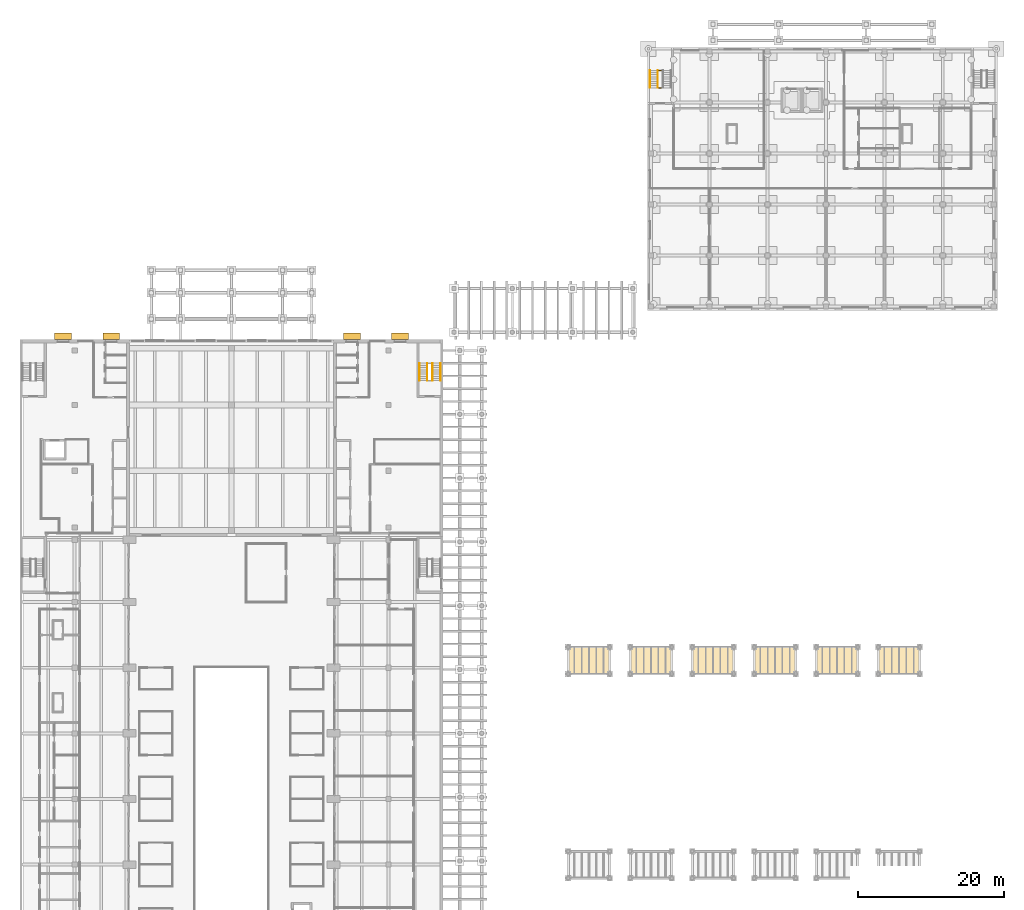
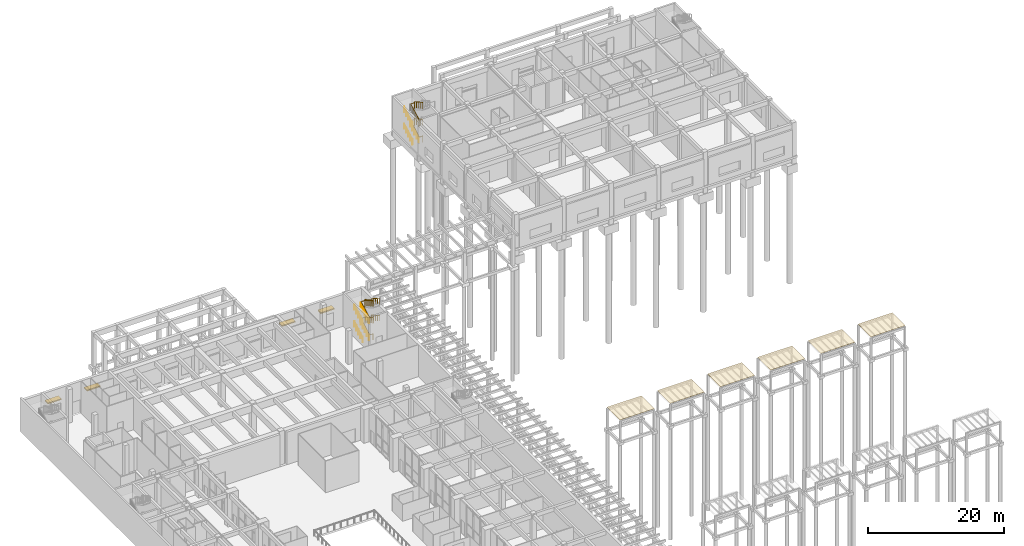
# One storey, part 49 of 51: 13 railings, 6 coverings, 4 shading devices.
"""IFC4 building model written with IfcOpenShell, lengths in metres."""

from ifc_helpers import new_model, si_unit, direction, frame, origin, origin_2d, place, context, subcontext, project, spatial, polyline, rectangle, circle, outline, extrude, material, layer, layer_set, type_object, element, save


model = new_model("IFC4")

# Units and contexts
model_context = context("Model", 3, precision=1e-05, world=origin(), true_north=direction((0.0, 1.0)))
body_context = subcontext(model_context, "Body", "Model", "MODEL_VIEW")
ifc_project = project(units=[si_unit("LENGTHUNIT", "METRE"), si_unit("AREAUNIT", "SQUARE_METRE"), si_unit("VOLUMEUNIT", "CUBIC_METRE"), si_unit("PLANEANGLEUNIT", "RADIAN"), si_unit("MASSUNIT", "GRAM", prefix="KILO")], contexts=[model_context])

# Site, building, storey
site_placement = place(None, origin())
site = spatial("IfcSite", under=ifc_project, at=site_placement, CompositionType="ELEMENT")
building_placement = place(site_placement, origin())
building = spatial("IfcBuilding", under=site, at=building_placement, Name="Elmora Arch Market Hall", CompositionType="ELEMENT")
storey_placement = place(building_placement, origin())
storey = spatial("IfcBuildingStorey", under=building, at=storey_placement, Name="L00", CompositionType="ELEMENT", Elevation=0.0)

# Shading devices
ifc_material_1 = material(Name="Concrete C40/50", Category="concrete")
ifc_layer_1 = layer(ifc_material_1, 0.199951171875)
ifc_layer_set_1 = layer_set([ifc_layer_1], Name="Concrete C40/50")
shading_device_type = type_object("IfcShadingDeviceType", Name="Pavilion sunshade 900x200", PredefinedType="USERDEFINED", material=ifc_layer_set_1)
for number, where, z_axis, x_axis, name in (
    (1, (5.89990234375, 126.449951171875, 3.14990234375), (0.0, 0.0, 1.0), (1.0, 0.0, 0.0), "Pavilion sunshade 1"),
    (2, (12.5, 126.449951171875, 3.14990234375), (0.0, 0.0, 1.0), (1.0, 0.0, 0.0), "Pavilion sunshade 2"),
    (3, (52.10009765625, 126.449951171875, 3.14990234375), (0.0, 0.0, 1.0), (1.0, 0.0, 0.0), "Pavilion sunshade 3"),
    (4, (45.5, 126.449951171875, 3.14990234375), (0.0, 0.0, 1.0), (1.0, 0.0, 0.0), "Pavilion sunshade 4"),
):
    element("IfcShadingDevice", number, at=place(storey_placement, frame(where, z_axis=z_axis, x_axis=x_axis)), inside=storey, type_object=shading_device_type, Name=name, ObjectType="SUNSHADE", PredefinedType="USERDEFINED", context=body_context, shape_type="SweptSolid", body=[
        extrude(rectangle(XDim=2.300048828125, YDim=0.89990234375, at=origin_2d()), origin(), (0.0, 0.0, 1.0), 0.199951171875),
    ])

# Railings
ifc_material_2 = material(Name="Steel ASTM A500 Gr C", Category="steel")
railing_type_1 = type_object("IfcRailingType", Name="Stair guard 1100", PredefinedType="GUARDRAIL", material=ifc_material_2)
railing_1_placement = place(storey_placement, frame((56.52001953125, 120.35009765625, 0.0)))
element("IfcRailing", 5, at=railing_1_placement, inside=storey, type_object=railing_type_1, Name="Stair ST-E guard L00", PredefinedType="GUARDRAIL", context=body_context, shape_type="SweptSolid", body=[
    extrude(circle(Radius=0.02392578125, at=origin_2d()), frame((0.0, 0.0, 1.076171875), z_axis=(-1.0, 0.0, 0.0), x_axis=(0.0, -1.0, 0.0)), (0.0, 0.0, 1.0), 0.64013671875),
    extrude(circle(Radius=0.02392578125, at=origin_2d()), frame((-0.64013671875, 0.0, 1.076171875), z_axis=(0.0, 0.0, 1.0), x_axis=(1.0, 0.0, 0.0)), (0.0, 0.0, 1.0), 0.166748046875),
    extrude(circle(Radius=0.02392578125, at=origin_2d()), frame((-0.64013671875, 0.0, 1.24267578125), z_axis=(0.0, 0.874157276122, 0.485642931179), x_axis=(-1.0, 0.0, 0.0)), (0.0, 0.0, 1.0), 0.686279296875),
    extrude(circle(Radius=0.02392578125, at=origin_2d()), frame((-0.64013671875, 0.599853515625, 1.576171875), z_axis=(0.0, 0.874241147926, 0.485491931212), x_axis=(-1.0, 0.0, 0.0)), (0.0, 0.0, 1.0), 0.6865234375),
    extrude(circle(Radius=0.02392578125, at=origin_2d()), frame((-0.64013671875, 1.199951171875, 1.9091796875), z_axis=(0.0, 0.874006220275, 0.485914732151), x_axis=(-1.0, 0.0, 0.0)), (0.0, 0.0, 1.0), 0.686279296875),
    extrude(circle(Radius=0.02392578125, at=origin_2d()), frame((-0.64013671875, 1.7998046875, 2.24267578125), z_axis=(0.0, 0.874241147926, 0.485491931212), x_axis=(-1.0, 0.0, 0.0)), (0.0, 0.0, 1.0), 0.6865234375),
    extrude(circle(Radius=0.02392578125, at=origin_2d()), frame((-0.64013671875, 2.39990234375, 2.576171875), z_axis=(1.0, 0.0, 0.0), x_axis=(0.0, 1.0, 0.0)), (0.0, 0.0, 1.0), 0.64013671875),
    extrude(circle(Radius=0.02392578125, at=origin_2d()), frame((0.0, 2.39990234375, 2.576171875), z_axis=(0.0, 0.0, 1.0), x_axis=(1.0, 0.0, 0.0)), (0.0, 0.0, 1.0), 0.166748046875),
    extrude(circle(Radius=0.02392578125, at=origin_2d()), frame((0.0, 2.39990234375, 2.74267578125), z_axis=(0.0, -0.874241147926, 0.485491931212), x_axis=(1.0, 0.0, 0.0)), (0.0, 0.0, 1.0), 0.6865234375),
    extrude(circle(Radius=0.02392578125, at=origin_2d()), frame((0.0, 1.7998046875, 3.076171875), z_axis=(0.0, -0.874157276122, 0.485642931179), x_axis=(1.0, 0.0, 0.0)), (0.0, 0.0, 1.0), 0.686279296875),
    extrude(circle(Radius=0.02392578125, at=origin_2d()), frame((0.0, 1.199951171875, 3.4091796875), z_axis=(0.0, -0.874090171491, 0.485763699861), x_axis=(1.0, 0.0, 0.0)), (0.0, 0.0, 1.0), 0.6865234375),
    extrude(circle(Radius=0.02392578125, at=origin_2d()), frame((0.0, 0.599853515625, 3.74267578125), z_axis=(0.0, -0.874157276122, 0.485642931179), x_axis=(1.0, 0.0, 0.0)), (0.0, 0.0, 1.0), 0.686279296875),
    extrude(circle(Radius=0.02392578125, at=origin_2d()), frame((0.0, 0.0, 4.076171875), z_axis=(-1.0, 0.0, 0.0), x_axis=(0.0, -1.0, 0.0)), (0.0, 0.0, 1.0), 0.64013671875),
    extrude(circle(Radius=0.02392578125, at=origin_2d()), frame((-0.64013671875, 0.0, 4.076171875), z_axis=(0.0, 0.0, 1.0), x_axis=(1.0, 0.0, 0.0)), (0.0, 0.0, 1.0), 0.166748046875),
    extrude(circle(Radius=0.02392578125, at=origin_2d()), frame((-0.64013671875, 0.0, 4.24267578125), z_axis=(0.0, 0.874157276122, 0.485642931179), x_axis=(-1.0, 0.0, 0.0)), (0.0, 0.0, 1.0), 0.686279296875),
    extrude(circle(Radius=0.02392578125, at=origin_2d()), frame((-0.64013671875, 0.599853515625, 4.576171875), z_axis=(0.0, 0.874241147926, 0.485491931212), x_axis=(-1.0, 0.0, 0.0)), (0.0, 0.0, 1.0), 0.6865234375),
    extrude(circle(Radius=0.02392578125, at=origin_2d()), frame((-0.64013671875, 1.199951171875, 4.9091796875), z_axis=(0.0, 0.874006220275, 0.485914732151), x_axis=(-1.0, 0.0, 0.0)), (0.0, 0.0, 1.0), 0.686279296875),
    extrude(circle(Radius=0.02392578125, at=origin_2d()), frame((-0.64013671875, 1.7998046875, 5.24267578125), z_axis=(0.0, 0.874241147926, 0.485491931212), x_axis=(-1.0, 0.0, 0.0)), (0.0, 0.0, 1.0), 0.6865234375),
    extrude(circle(Radius=0.02392578125, at=origin_2d()), frame((-0.64013671875, 2.39990234375, 5.576171875), z_axis=(1.0, 0.0, 0.0), x_axis=(0.0, 1.0, 0.0)), (0.0, 0.0, 1.0), 0.64013671875),
    extrude(circle(Radius=0.02392578125, at=origin_2d()), frame((0.0, 2.39990234375, 5.576171875), z_axis=(0.0, 0.0, 1.0), x_axis=(1.0, 0.0, 0.0)), (0.0, 0.0, 1.0), 0.166748046875),
    extrude(circle(Radius=0.02392578125, at=origin_2d()), frame((0.0, 2.39990234375, 5.74267578125), z_axis=(0.0, -0.874241147926, 0.485491931212), x_axis=(1.0, 0.0, 0.0)), (0.0, 0.0, 1.0), 0.6865234375),
    extrude(circle(Radius=0.02392578125, at=origin_2d()), frame((0.0, 1.7998046875, 6.076171875), z_axis=(0.0, -0.874157276122, 0.485642931179), x_axis=(1.0, 0.0, 0.0)), (0.0, 0.0, 1.0), 0.686279296875),
    extrude(circle(Radius=0.02392578125, at=origin_2d()), frame((0.0, 1.199951171875, 6.4091796875), z_axis=(0.0, -0.874090171491, 0.485763699861), x_axis=(1.0, 0.0, 0.0)), (0.0, 0.0, 1.0), 0.6865234375),
    extrude(circle(Radius=0.02392578125, at=origin_2d()), frame((0.0, 0.599853515625, 6.74267578125), z_axis=(0.0, -0.874157276122, 0.485642931179), x_axis=(1.0, 0.0, 0.0)), (0.0, 0.0, 1.0), 0.686279296875),
    extrude(circle(Radius=0.02099609375, at=origin_2d()), origin(), (0.0, 0.0, 1.0), 1.052001953125),
    extrude(circle(Radius=0.02099609375, at=origin_2d()), frame((-0.64013671875, 0.0, 0.0)), (0.0, 0.0, 1.0), 1.052001953125),
    extrude(circle(Radius=0.02099609375, at=origin_2d()), frame((-0.64013671875, 0.0, 0.166748046875)), (0.0, 0.0, 1.0), 1.052001953125),
    extrude(circle(Radius=0.02099609375, at=origin_2d()), frame((-0.64013671875, 0.599853515625, 0.5)), (0.0, 0.0, 1.0), 1.052001953125),
    extrude(circle(Radius=0.02099609375, at=origin_2d()), frame((-0.64013671875, 1.199951171875, 0.833251953125)), (0.0, 0.0, 1.0), 1.052001953125),
    extrude(circle(Radius=0.02099609375, at=origin_2d()), frame((-0.64013671875, 1.7998046875, 1.166748046875)), (0.0, 0.0, 1.0), 1.052001953125),
    extrude(circle(Radius=0.02099609375, at=origin_2d()), frame((-0.64013671875, 2.39990234375, 1.5)), (0.0, 0.0, 1.0), 1.052001953125),
    extrude(circle(Radius=0.02099609375, at=origin_2d()), frame((0.0, 2.39990234375, 1.5)), (0.0, 0.0, 1.0), 1.052001953125),
    extrude(circle(Radius=0.02099609375, at=origin_2d()), frame((0.0, 2.39990234375, 1.666748046875)), (0.0, 0.0, 1.0), 1.052001953125),
    extrude(circle(Radius=0.02099609375, at=origin_2d()), frame((0.0, 1.7998046875, 2.0)), (0.0, 0.0, 1.0), 1.052001953125),
    extrude(circle(Radius=0.02099609375, at=origin_2d()), frame((0.0, 1.199951171875, 2.333251953125)), (0.0, 0.0, 1.0), 1.052001953125),
    extrude(circle(Radius=0.02099609375, at=origin_2d()), frame((0.0, 0.599853515625, 2.666748046875)), (0.0, 0.0, 1.0), 1.052001953125),
    extrude(circle(Radius=0.02099609375, at=origin_2d()), frame((0.0, 0.0, 3.0)), (0.0, 0.0, 1.0), 1.052001953125),
    extrude(circle(Radius=0.02099609375, at=origin_2d()), frame((-0.64013671875, 0.0, 3.0)), (0.0, 0.0, 1.0), 1.052001953125),
    extrude(circle(Radius=0.02099609375, at=origin_2d()), frame((-0.64013671875, 0.0, 3.166748046875)), (0.0, 0.0, 1.0), 1.052001953125),
    extrude(circle(Radius=0.02099609375, at=origin_2d()), frame((-0.64013671875, 0.599853515625, 3.5)), (0.0, 0.0, 1.0), 1.052001953125),
    extrude(circle(Radius=0.02099609375, at=origin_2d()), frame((-0.64013671875, 1.199951171875, 3.833251953125)), (0.0, 0.0, 1.0), 1.052001953125),
    extrude(circle(Radius=0.02099609375, at=origin_2d()), frame((-0.64013671875, 1.7998046875, 4.166748046875)), (0.0, 0.0, 1.0), 1.052001953125),
    extrude(circle(Radius=0.02099609375, at=origin_2d()), frame((-0.64013671875, 2.39990234375, 4.5)), (0.0, 0.0, 1.0), 1.052001953125),
    extrude(circle(Radius=0.02099609375, at=origin_2d()), frame((0.0, 2.39990234375, 4.5)), (0.0, 0.0, 1.0), 1.052001953125),
    extrude(circle(Radius=0.02099609375, at=origin_2d()), frame((0.0, 2.39990234375, 4.666748046875)), (0.0, 0.0, 1.0), 1.052001953125),
    extrude(circle(Radius=0.02099609375, at=origin_2d()), frame((0.0, 1.7998046875, 5.0)), (0.0, 0.0, 1.0), 1.052001953125),
    extrude(circle(Radius=0.02099609375, at=origin_2d()), frame((0.0, 1.199951171875, 5.333251953125)), (0.0, 0.0, 1.0), 1.052001953125),
    extrude(circle(Radius=0.02099609375, at=origin_2d()), frame((0.0, 0.599853515625, 5.666748046875)), (0.0, 0.0, 1.0), 1.052001953125),
    extrude(circle(Radius=0.02099609375, at=origin_2d()), frame((0.0, 0.0, 6.0)), (0.0, 0.0, 1.0), 1.052001953125),
])
railing_2_placement = place(storey_placement, frame((88.1201171875, 160.5, 0.0)))
element("IfcRailing", 6, at=railing_2_placement, inside=storey, type_object=railing_type_1, Name="Stair ST-SCW guard L00", PredefinedType="GUARDRAIL", context=body_context, shape_type="SweptSolid", body=[
    extrude(circle(Radius=0.02392578125, at=origin_2d()), frame((0.0, 0.0, 1.076171875), z_axis=(-1.0, 0.0, 0.0), x_axis=(0.0, -1.0, 0.0)), (0.0, 0.0, 1.0), 0.64013671875),
    extrude(circle(Radius=0.02392578125, at=origin_2d()), frame((-0.64013671875, 0.0, 1.076171875), z_axis=(0.0, 0.0, 1.0), x_axis=(1.0, 0.0, 0.0)), (0.0, 0.0, 1.0), 0.166748046875),
    extrude(circle(Radius=0.02392578125, at=origin_2d()), frame((-0.64013671875, 0.0, 1.24267578125), z_axis=(0.0, 0.874241147926, 0.485491931212), x_axis=(-1.0, 0.0, 0.0)), (0.0, 0.0, 1.0), 0.6865234375),
    extrude(circle(Radius=0.02392578125, at=origin_2d()), frame((-0.64013671875, 0.60009765625, 1.576171875), z_axis=(0.0, 0.874157276122, 0.485642931179), x_axis=(-1.0, 0.0, 0.0)), (0.0, 0.0, 1.0), 0.686279296875),
    extrude(circle(Radius=0.02392578125, at=origin_2d()), frame((-0.64013671875, 1.199951171875, 1.9091796875), z_axis=(0.0, 0.874090171491, 0.485763699861), x_axis=(-1.0, 0.0, 0.0)), (0.0, 0.0, 1.0), 0.6865234375),
    extrude(circle(Radius=0.02392578125, at=origin_2d()), frame((-0.64013671875, 1.800048828125, 2.24267578125), z_axis=(0.0, 0.874157276122, 0.485642931179), x_axis=(-1.0, 0.0, 0.0)), (0.0, 0.0, 1.0), 0.686279296875),
    extrude(circle(Radius=0.02392578125, at=origin_2d()), frame((-0.64013671875, 2.39990234375, 2.576171875), z_axis=(1.0, 0.0, 0.0), x_axis=(0.0, 1.0, 0.0)), (0.0, 0.0, 1.0), 0.64013671875),
    extrude(circle(Radius=0.02392578125, at=origin_2d()), frame((0.0, 2.39990234375, 2.576171875), z_axis=(0.0, 0.0, 1.0), x_axis=(1.0, 0.0, 0.0)), (0.0, 0.0, 1.0), 0.166748046875),
    extrude(circle(Radius=0.02392578125, at=origin_2d()), frame((0.0, 2.39990234375, 2.74267578125), z_axis=(0.0, -0.874157276122, 0.485642931179), x_axis=(1.0, 0.0, 0.0)), (0.0, 0.0, 1.0), 0.686279296875),
    extrude(circle(Radius=0.02392578125, at=origin_2d()), frame((0.0, 1.800048828125, 3.076171875), z_axis=(0.0, -0.874241147926, 0.485491931212), x_axis=(1.0, 0.0, 0.0)), (0.0, 0.0, 1.0), 0.6865234375),
    extrude(circle(Radius=0.02392578125, at=origin_2d()), frame((0.0, 1.199951171875, 3.4091796875), z_axis=(0.0, -0.874006220275, 0.485914732151), x_axis=(1.0, 0.0, 0.0)), (0.0, 0.0, 1.0), 0.686279296875),
    extrude(circle(Radius=0.02392578125, at=origin_2d()), frame((0.0, 0.60009765625, 3.74267578125), z_axis=(0.0, -0.874241147926, 0.485491931212), x_axis=(1.0, 0.0, 0.0)), (0.0, 0.0, 1.0), 0.6865234375),
    extrude(circle(Radius=0.02392578125, at=origin_2d()), frame((0.0, 0.0, 4.076171875), z_axis=(-1.0, 0.0, 0.0), x_axis=(0.0, -1.0, 0.0)), (0.0, 0.0, 1.0), 0.64013671875),
    extrude(circle(Radius=0.02392578125, at=origin_2d()), frame((-0.64013671875, 0.0, 4.076171875), z_axis=(0.0, 0.0, 1.0), x_axis=(1.0, 0.0, 0.0)), (0.0, 0.0, 1.0), 0.166748046875),
    extrude(circle(Radius=0.02392578125, at=origin_2d()), frame((-0.64013671875, 0.0, 4.24267578125), z_axis=(0.0, 0.874241147926, 0.485491931212), x_axis=(-1.0, 0.0, 0.0)), (0.0, 0.0, 1.0), 0.6865234375),
    extrude(circle(Radius=0.02392578125, at=origin_2d()), frame((-0.64013671875, 0.60009765625, 4.576171875), z_axis=(0.0, 0.874157276122, 0.485642931179), x_axis=(-1.0, 0.0, 0.0)), (0.0, 0.0, 1.0), 0.686279296875),
    extrude(circle(Radius=0.02392578125, at=origin_2d()), frame((-0.64013671875, 1.199951171875, 4.9091796875), z_axis=(0.0, 0.874090171491, 0.485763699861), x_axis=(-1.0, 0.0, 0.0)), (0.0, 0.0, 1.0), 0.6865234375),
    extrude(circle(Radius=0.02392578125, at=origin_2d()), frame((-0.64013671875, 1.800048828125, 5.24267578125), z_axis=(0.0, 0.874157276122, 0.485642931179), x_axis=(-1.0, 0.0, 0.0)), (0.0, 0.0, 1.0), 0.686279296875),
    extrude(circle(Radius=0.02392578125, at=origin_2d()), frame((-0.64013671875, 2.39990234375, 5.576171875), z_axis=(1.0, 0.0, 0.0), x_axis=(0.0, 1.0, 0.0)), (0.0, 0.0, 1.0), 0.64013671875),
    extrude(circle(Radius=0.02392578125, at=origin_2d()), frame((0.0, 2.39990234375, 5.576171875), z_axis=(0.0, 0.0, 1.0), x_axis=(1.0, 0.0, 0.0)), (0.0, 0.0, 1.0), 0.166748046875),
    extrude(circle(Radius=0.02392578125, at=origin_2d()), frame((0.0, 2.39990234375, 5.74267578125), z_axis=(0.0, -0.874157276122, 0.485642931179), x_axis=(1.0, 0.0, 0.0)), (0.0, 0.0, 1.0), 0.686279296875),
    extrude(circle(Radius=0.02392578125, at=origin_2d()), frame((0.0, 1.800048828125, 6.076171875), z_axis=(0.0, -0.874241147926, 0.485491931212), x_axis=(1.0, 0.0, 0.0)), (0.0, 0.0, 1.0), 0.6865234375),
    extrude(circle(Radius=0.02392578125, at=origin_2d()), frame((0.0, 1.199951171875, 6.4091796875), z_axis=(0.0, -0.874006220275, 0.485914732151), x_axis=(1.0, 0.0, 0.0)), (0.0, 0.0, 1.0), 0.686279296875),
    extrude(circle(Radius=0.02392578125, at=origin_2d()), frame((0.0, 0.60009765625, 6.74267578125), z_axis=(0.0, -0.874241147926, 0.485491931212), x_axis=(1.0, 0.0, 0.0)), (0.0, 0.0, 1.0), 0.6865234375),
    extrude(circle(Radius=0.02099609375, at=origin_2d()), origin(), (0.0, 0.0, 1.0), 1.052001953125),
    extrude(circle(Radius=0.02099609375, at=origin_2d()), frame((-0.64013671875, 0.0, 0.0)), (0.0, 0.0, 1.0), 1.052001953125),
    extrude(circle(Radius=0.02099609375, at=origin_2d()), frame((-0.64013671875, 0.0, 0.166748046875)), (0.0, 0.0, 1.0), 1.052001953125),
    extrude(circle(Radius=0.02099609375, at=origin_2d()), frame((-0.64013671875, 0.60009765625, 0.5)), (0.0, 0.0, 1.0), 1.052001953125),
    extrude(circle(Radius=0.02099609375, at=origin_2d()), frame((-0.64013671875, 1.199951171875, 0.833251953125)), (0.0, 0.0, 1.0), 1.052001953125),
    extrude(circle(Radius=0.02099609375, at=origin_2d()), frame((-0.64013671875, 1.800048828125, 1.166748046875)), (0.0, 0.0, 1.0), 1.052001953125),
    extrude(circle(Radius=0.02099609375, at=origin_2d()), frame((-0.64013671875, 2.39990234375, 1.5)), (0.0, 0.0, 1.0), 1.052001953125),
    extrude(circle(Radius=0.02099609375, at=origin_2d()), frame((0.0, 2.39990234375, 1.5)), (0.0, 0.0, 1.0), 1.052001953125),
    extrude(circle(Radius=0.02099609375, at=origin_2d()), frame((0.0, 2.39990234375, 1.666748046875)), (0.0, 0.0, 1.0), 1.052001953125),
    extrude(circle(Radius=0.02099609375, at=origin_2d()), frame((0.0, 1.800048828125, 2.0)), (0.0, 0.0, 1.0), 1.052001953125),
    extrude(circle(Radius=0.02099609375, at=origin_2d()), frame((0.0, 1.199951171875, 2.333251953125)), (0.0, 0.0, 1.0), 1.052001953125),
    extrude(circle(Radius=0.02099609375, at=origin_2d()), frame((0.0, 0.60009765625, 2.666748046875)), (0.0, 0.0, 1.0), 1.052001953125),
    extrude(circle(Radius=0.02099609375, at=origin_2d()), frame((0.0, 0.0, 3.0)), (0.0, 0.0, 1.0), 1.052001953125),
    extrude(circle(Radius=0.02099609375, at=origin_2d()), frame((-0.64013671875, 0.0, 3.0)), (0.0, 0.0, 1.0), 1.052001953125),
    extrude(circle(Radius=0.02099609375, at=origin_2d()), frame((-0.64013671875, 0.0, 3.166748046875)), (0.0, 0.0, 1.0), 1.052001953125),
    extrude(circle(Radius=0.02099609375, at=origin_2d()), frame((-0.64013671875, 0.60009765625, 3.5)), (0.0, 0.0, 1.0), 1.052001953125),
    extrude(circle(Radius=0.02099609375, at=origin_2d()), frame((-0.64013671875, 1.199951171875, 3.833251953125)), (0.0, 0.0, 1.0), 1.052001953125),
    extrude(circle(Radius=0.02099609375, at=origin_2d()), frame((-0.64013671875, 1.800048828125, 4.166748046875)), (0.0, 0.0, 1.0), 1.052001953125),
    extrude(circle(Radius=0.02099609375, at=origin_2d()), frame((-0.64013671875, 2.39990234375, 4.5)), (0.0, 0.0, 1.0), 1.052001953125),
    extrude(circle(Radius=0.02099609375, at=origin_2d()), frame((0.0, 2.39990234375, 4.5)), (0.0, 0.0, 1.0), 1.052001953125),
    extrude(circle(Radius=0.02099609375, at=origin_2d()), frame((0.0, 2.39990234375, 4.666748046875)), (0.0, 0.0, 1.0), 1.052001953125),
    extrude(circle(Radius=0.02099609375, at=origin_2d()), frame((0.0, 1.800048828125, 5.0)), (0.0, 0.0, 1.0), 1.052001953125),
    extrude(circle(Radius=0.02099609375, at=origin_2d()), frame((0.0, 1.199951171875, 5.333251953125)), (0.0, 0.0, 1.0), 1.052001953125),
    extrude(circle(Radius=0.02099609375, at=origin_2d()), frame((0.0, 0.60009765625, 5.666748046875)), (0.0, 0.0, 1.0), 1.052001953125),
    extrude(circle(Radius=0.02099609375, at=origin_2d()), frame((0.0, 0.0, 6.0)), (0.0, 0.0, 1.0), 1.052001953125),
])
ifc_material_3 = material(Name="Stainless steel ASTM A554 Grade 304", Category="steel")
railing_type_2 = type_object("IfcRailingType", Name="Stair handrail 950", PredefinedType="HANDRAIL", material=ifc_material_3)
for number, where, name in (
    (7, (54.760009765625, 120.35009765625, 0.166748046875), "Stair ST-E L00 flight 1 handrail"),
    (8, (55.830078125, 120.35009765625, 0.166748046875), "Stair ST-E L00 flight 1 handrail"),
):
    element("IfcRailing", number, at=place(storey_placement, frame(where)), inside=storey, type_object=railing_type_2, Name=name, PredefinedType="HANDRAIL", context=body_context, shape_type="SweptSolid", body=[
        extrude(circle(Radius=0.02392578125, at=origin_2d()), frame((0.0, 0.0, 0.92578125), z_axis=(0.0, 0.874157276122, 0.485642931179), x_axis=(-1.0, 0.0, 0.0)), (0.0, 0.0, 1.0), 0.686279296875),
        extrude(circle(Radius=0.02392578125, at=origin_2d()), frame((0.0, 0.599853515625, 1.25927734375), z_axis=(0.0, 0.874241147926, 0.485491931212), x_axis=(-1.0, 0.0, 0.0)), (0.0, 0.0, 1.0), 0.6865234375),
        extrude(circle(Radius=0.02392578125, at=origin_2d()), frame((0.0, 1.199951171875, 1.59228515625), z_axis=(0.0, 0.874006220275, 0.485914732151), x_axis=(-1.0, 0.0, 0.0)), (0.0, 0.0, 1.0), 0.686279296875),
        extrude(circle(Radius=0.02392578125, at=origin_2d()), frame((0.0, 1.7998046875, 1.92578125), z_axis=(0.0, 0.874241147926, 0.485491931212), x_axis=(-1.0, 0.0, 0.0)), (0.0, 0.0, 1.0), 0.6865234375),
        extrude(circle(Radius=0.02099609375, at=origin_2d()), origin(), (0.0, 0.0, 1.0), 0.90185546875),
        extrude(circle(Radius=0.02099609375, at=origin_2d()), frame((0.0, 0.599853515625, 0.333251953125)), (0.0, 0.0, 1.0), 0.90185546875),
        extrude(circle(Radius=0.02099609375, at=origin_2d()), frame((0.0, 1.199951171875, 0.66650390625)), (0.0, 0.0, 1.0), 0.90185546875),
        extrude(circle(Radius=0.02099609375, at=origin_2d()), frame((0.0, 1.7998046875, 1.0)), (0.0, 0.0, 1.0), 0.90185546875),
        extrude(circle(Radius=0.02099609375, at=origin_2d()), frame((0.0, 2.39990234375, 1.333251953125)), (0.0, 0.0, 1.0), 0.90185546875),
    ])
for number, where, name in (
    (9, (57.639892578125, 122.75, 1.666748046875), "Stair ST-E L00 flight 2 handrail"),
    (10, (56.570068359375, 122.75, 1.666748046875), "Stair ST-E L00 flight 2 handrail"),
):
    element("IfcRailing", number, at=place(storey_placement, frame(where)), inside=storey, type_object=railing_type_2, Name=name, PredefinedType="HANDRAIL", context=body_context, shape_type="SweptSolid", body=[
        extrude(circle(Radius=0.02392578125, at=origin_2d()), frame((0.0, 0.0, 0.92578125), z_axis=(0.0, -0.874241147926, 0.485491931212), x_axis=(1.0, 0.0, 0.0)), (0.0, 0.0, 1.0), 0.6865234375),
        extrude(circle(Radius=0.02392578125, at=origin_2d()), frame((0.0, -0.60009765625, 1.25927734375), z_axis=(0.0, -0.874157276122, 0.485642931179), x_axis=(1.0, 0.0, 0.0)), (0.0, 0.0, 1.0), 0.686279296875),
        extrude(circle(Radius=0.02392578125, at=origin_2d()), frame((0.0, -1.199951171875, 1.59228515625), z_axis=(0.0, -0.874090171491, 0.485763699861), x_axis=(1.0, 0.0, 0.0)), (0.0, 0.0, 1.0), 0.6865234375),
        extrude(circle(Radius=0.02392578125, at=origin_2d()), frame((0.0, -1.800048828125, 1.92578125), z_axis=(0.0, -0.874157276122, 0.485642931179), x_axis=(1.0, 0.0, 0.0)), (0.0, 0.0, 1.0), 0.686279296875),
        extrude(circle(Radius=0.02099609375, at=origin_2d()), origin(), (0.0, 0.0, 1.0), 0.90185546875),
        extrude(circle(Radius=0.02099609375, at=origin_2d()), frame((0.0, -0.60009765625, 0.333251953125)), (0.0, 0.0, 1.0), 0.90185546875),
        extrude(circle(Radius=0.02099609375, at=origin_2d()), frame((0.0, -1.199951171875, 0.66650390625)), (0.0, 0.0, 1.0), 0.90185546875),
        extrude(circle(Radius=0.02099609375, at=origin_2d()), frame((0.0, -1.800048828125, 1.0)), (0.0, 0.0, 1.0), 0.90185546875),
        extrude(circle(Radius=0.02099609375, at=origin_2d()), frame((0.0, -2.39990234375, 1.333251953125)), (0.0, 0.0, 1.0), 0.90185546875),
    ])
for number, where, name in (
    (11, (54.760009765625, 120.35009765625, 3.166748046875), "Stair ST-E L00 flight 3 handrail"),
    (12, (55.830078125, 120.35009765625, 3.166748046875), "Stair ST-E L00 flight 3 handrail"),
):
    element("IfcRailing", number, at=place(storey_placement, frame(where)), inside=storey, type_object=railing_type_2, Name=name, PredefinedType="HANDRAIL", context=body_context, shape_type="SweptSolid", body=[
        extrude(circle(Radius=0.02392578125, at=origin_2d()), frame((0.0, 0.0, 0.92578125), z_axis=(0.0, 0.874157276122, 0.485642931179), x_axis=(-1.0, 0.0, 0.0)), (0.0, 0.0, 1.0), 0.686279296875),
        extrude(circle(Radius=0.02392578125, at=origin_2d()), frame((0.0, 0.599853515625, 1.25927734375), z_axis=(0.0, 0.874241147926, 0.485491931212), x_axis=(-1.0, 0.0, 0.0)), (0.0, 0.0, 1.0), 0.6865234375),
        extrude(circle(Radius=0.02392578125, at=origin_2d()), frame((0.0, 1.199951171875, 1.59228515625), z_axis=(0.0, 0.874006220275, 0.485914732151), x_axis=(-1.0, 0.0, 0.0)), (0.0, 0.0, 1.0), 0.686279296875),
        extrude(circle(Radius=0.02392578125, at=origin_2d()), frame((0.0, 1.7998046875, 1.92578125), z_axis=(0.0, 0.874241147926, 0.485491931212), x_axis=(-1.0, 0.0, 0.0)), (0.0, 0.0, 1.0), 0.6865234375),
        extrude(circle(Radius=0.02099609375, at=origin_2d()), origin(), (0.0, 0.0, 1.0), 0.90185546875),
        extrude(circle(Radius=0.02099609375, at=origin_2d()), frame((0.0, 0.599853515625, 0.333251953125)), (0.0, 0.0, 1.0), 0.90185546875),
        extrude(circle(Radius=0.02099609375, at=origin_2d()), frame((0.0, 1.199951171875, 0.66650390625)), (0.0, 0.0, 1.0), 0.90185546875),
        extrude(circle(Radius=0.02099609375, at=origin_2d()), frame((0.0, 1.7998046875, 1.0)), (0.0, 0.0, 1.0), 0.90185546875),
        extrude(circle(Radius=0.02099609375, at=origin_2d()), frame((0.0, 2.39990234375, 1.333251953125)), (0.0, 0.0, 1.0), 0.90185546875),
    ])
for number, where, name in (
    (13, (57.639892578125, 122.75, 4.666748046875), "Stair ST-E L00 flight 4 handrail"),
    (14, (56.570068359375, 122.75, 4.666748046875), "Stair ST-E L00 flight 4 handrail"),
):
    element("IfcRailing", number, at=place(storey_placement, frame(where)), inside=storey, type_object=railing_type_2, Name=name, PredefinedType="HANDRAIL", context=body_context, shape_type="SweptSolid", body=[
        extrude(circle(Radius=0.02392578125, at=origin_2d()), frame((0.0, 0.0, 0.92578125), z_axis=(0.0, -0.874241147926, 0.485491931212), x_axis=(1.0, 0.0, 0.0)), (0.0, 0.0, 1.0), 0.6865234375),
        extrude(circle(Radius=0.02392578125, at=origin_2d()), frame((0.0, -0.60009765625, 1.25927734375), z_axis=(0.0, -0.874157276122, 0.485642931179), x_axis=(1.0, 0.0, 0.0)), (0.0, 0.0, 1.0), 0.686279296875),
        extrude(circle(Radius=0.02392578125, at=origin_2d()), frame((0.0, -1.199951171875, 1.59228515625), z_axis=(0.0, -0.874090171491, 0.485763699861), x_axis=(1.0, 0.0, 0.0)), (0.0, 0.0, 1.0), 0.6865234375),
        extrude(circle(Radius=0.02392578125, at=origin_2d()), frame((0.0, -1.800048828125, 1.92578125), z_axis=(0.0, -0.874157276122, 0.485642931179), x_axis=(1.0, 0.0, 0.0)), (0.0, 0.0, 1.0), 0.686279296875),
        extrude(circle(Radius=0.02099609375, at=origin_2d()), origin(), (0.0, 0.0, 1.0), 0.90185546875),
        extrude(circle(Radius=0.02099609375, at=origin_2d()), frame((0.0, -0.60009765625, 0.333251953125)), (0.0, 0.0, 1.0), 0.90185546875),
        extrude(circle(Radius=0.02099609375, at=origin_2d()), frame((0.0, -1.199951171875, 0.66650390625)), (0.0, 0.0, 1.0), 0.90185546875),
        extrude(circle(Radius=0.02099609375, at=origin_2d()), frame((0.0, -1.800048828125, 1.0)), (0.0, 0.0, 1.0), 0.90185546875),
        extrude(circle(Radius=0.02099609375, at=origin_2d()), frame((0.0, -2.39990234375, 1.333251953125)), (0.0, 0.0, 1.0), 0.90185546875),
    ])
for number, where, name in (
    (15, (86.360107421875, 160.5, 0.166748046875), "Stair ST-SCW L00 flight 1 handrail"),
    (16, (87.429931640625, 160.5, 0.166748046875), "Stair ST-SCW L00 flight 1 handrail"),
    (17, (86.360107421875, 160.5, 3.166748046875), "Stair ST-SCW L00 flight 3 handrail"),
):
    element("IfcRailing", number, at=place(storey_placement, frame(where)), inside=storey, type_object=railing_type_2, Name=name, PredefinedType="HANDRAIL", context=body_context, shape_type="SweptSolid", body=[
        extrude(circle(Radius=0.02392578125, at=origin_2d()), frame((0.0, 0.0, 0.92578125), z_axis=(0.0, 0.874241147926, 0.485491931212), x_axis=(-1.0, 0.0, 0.0)), (0.0, 0.0, 1.0), 0.6865234375),
        extrude(circle(Radius=0.02392578125, at=origin_2d()), frame((0.0, 0.60009765625, 1.25927734375), z_axis=(0.0, 0.874157276122, 0.485642931179), x_axis=(-1.0, 0.0, 0.0)), (0.0, 0.0, 1.0), 0.686279296875),
        extrude(circle(Radius=0.02392578125, at=origin_2d()), frame((0.0, 1.199951171875, 1.59228515625), z_axis=(0.0, 0.874090171491, 0.485763699861), x_axis=(-1.0, 0.0, 0.0)), (0.0, 0.0, 1.0), 0.6865234375),
        extrude(circle(Radius=0.02392578125, at=origin_2d()), frame((0.0, 1.800048828125, 1.92578125), z_axis=(0.0, 0.874157276122, 0.485642931179), x_axis=(-1.0, 0.0, 0.0)), (0.0, 0.0, 1.0), 0.686279296875),
        extrude(circle(Radius=0.02099609375, at=origin_2d()), origin(), (0.0, 0.0, 1.0), 0.90185546875),
        extrude(circle(Radius=0.02099609375, at=origin_2d()), frame((0.0, 0.60009765625, 0.333251953125)), (0.0, 0.0, 1.0), 0.90185546875),
        extrude(circle(Radius=0.02099609375, at=origin_2d()), frame((0.0, 1.199951171875, 0.66650390625)), (0.0, 0.0, 1.0), 0.90185546875),
        extrude(circle(Radius=0.02099609375, at=origin_2d()), frame((0.0, 1.800048828125, 1.0)), (0.0, 0.0, 1.0), 0.90185546875),
        extrude(circle(Radius=0.02099609375, at=origin_2d()), frame((0.0, 2.39990234375, 1.333251953125)), (0.0, 0.0, 1.0), 0.90185546875),
    ])

# Coverings
ifc_material_4 = material(Name="Standing seam sheet roofing")
ifc_layer_2 = layer(ifc_material_4, 0.0400390625)
ifc_layer_set_2 = layer_set([ifc_layer_2], Name="Standing seam sheet roofing")
covering_type = type_object("IfcCoveringType", Name="Stall roofing 40", PredefinedType="ROOFING", material=ifc_layer_set_2)
covering_1_placement = place(storey_placement, frame((0.0, 0.0, 3.5)))
element("IfcCovering", 18, at=covering_1_placement, inside=storey, type_object=covering_type, Name="Stall roofing LL-21", PredefinedType="ROOFING", context=body_context, shape_type="SweptSolid", body=[
    extrude(outline(polyline([(80.89990234375, 80.10009765625), (75.10009765625, 80.10009765625), (75.10009765625, 83.89990234375), (80.89990234375, 83.89990234375), (80.89990234375, 80.10009765625)])), origin(), (0.0, 0.0, 1.0), 0.0400390625),
])
covering_2_placement = place(storey_placement, frame((0.0, 0.0, 3.5)))
element("IfcCovering", 19, at=covering_2_placement, inside=storey, type_object=covering_type, Name="Stall roofing LL-22", PredefinedType="ROOFING", context=body_context, shape_type="SweptSolid", body=[
    extrude(outline(polyline([(89.39990234375, 80.10009765625), (83.60009765625, 80.10009765625), (83.60009765625, 83.89990234375), (89.39990234375, 83.89990234375), (89.39990234375, 80.10009765625)])), origin(), (0.0, 0.0, 1.0), 0.0400390625),
])
covering_3_placement = place(storey_placement, frame((0.0, 0.0, 3.5)))
element("IfcCovering", 20, at=covering_3_placement, inside=storey, type_object=covering_type, Name="Stall roofing LL-23", PredefinedType="ROOFING", context=body_context, shape_type="SweptSolid", body=[
    extrude(outline(polyline([(97.89990234375, 80.10009765625), (92.10009765625, 80.10009765625), (92.10009765625, 83.89990234375), (97.89990234375, 83.89990234375), (97.89990234375, 80.10009765625)])), origin(), (0.0, 0.0, 1.0), 0.0400390625),
])
covering_4_placement = place(storey_placement, frame((0.0, 0.0, 3.5)))
element("IfcCovering", 21, at=covering_4_placement, inside=storey, type_object=covering_type, Name="Stall roofing LL-24", PredefinedType="ROOFING", context=body_context, shape_type="SweptSolid", body=[
    extrude(outline(polyline([(106.39990234375, 80.10009765625), (100.60009765625, 80.10009765625), (100.60009765625, 83.89990234375), (106.39990234375, 83.89990234375), (106.39990234375, 80.10009765625)])), origin(), (0.0, 0.0, 1.0), 0.0400390625),
])
covering_5_placement = place(storey_placement, frame((0.0, 0.0, 3.5)))
element("IfcCovering", 22, at=covering_5_placement, inside=storey, type_object=covering_type, Name="Stall roofing LL-25", PredefinedType="ROOFING", context=body_context, shape_type="SweptSolid", body=[
    extrude(outline(polyline([(114.89990234375, 80.10009765625), (109.10009765625, 80.10009765625), (109.10009765625, 83.89990234375), (114.89990234375, 83.89990234375), (114.89990234375, 80.10009765625)])), origin(), (0.0, 0.0, 1.0), 0.0400390625),
])
covering_6_placement = place(storey_placement, frame((0.0, 0.0, 3.5)))
element("IfcCovering", 23, at=covering_6_placement, inside=storey, type_object=covering_type, Name="Stall roofing LL-26", PredefinedType="ROOFING", context=body_context, shape_type="SweptSolid", body=[
    extrude(outline(polyline([(123.39990234375, 80.10009765625), (117.60009765625, 80.10009765625), (117.60009765625, 83.89990234375), (123.39990234375, 83.89990234375), (123.39990234375, 80.10009765625)])), origin(), (0.0, 0.0, 1.0), 0.0400390625),
])

save(model, "model.ifc")
